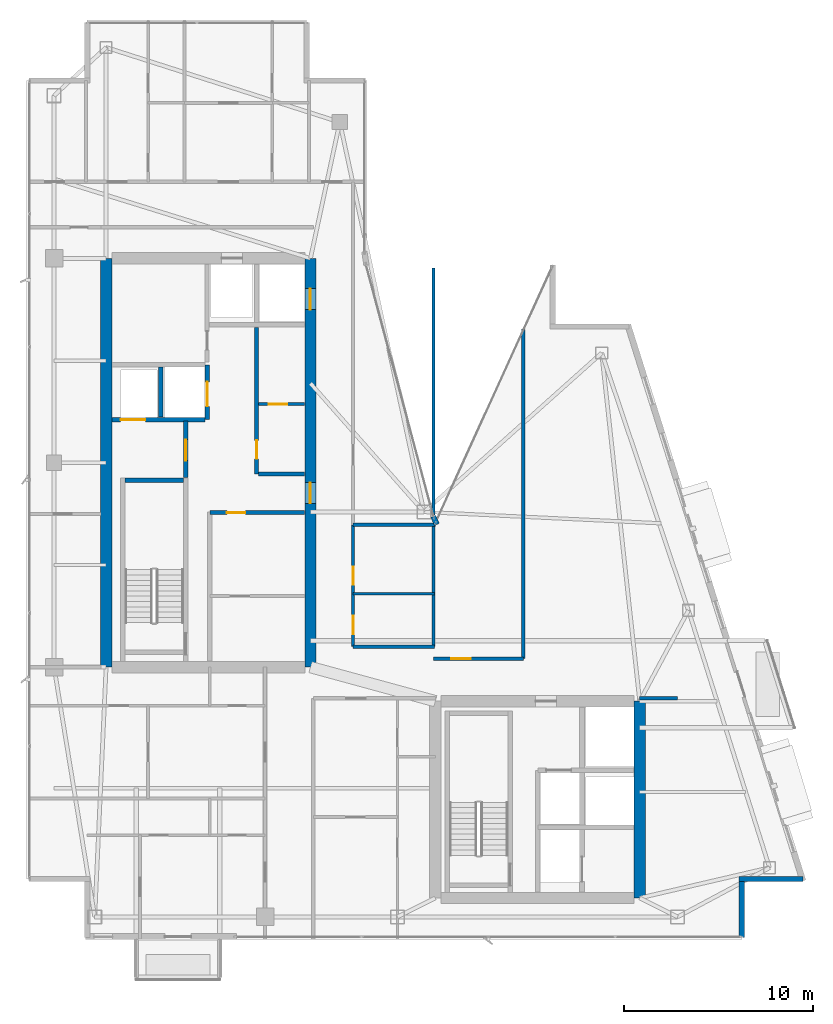
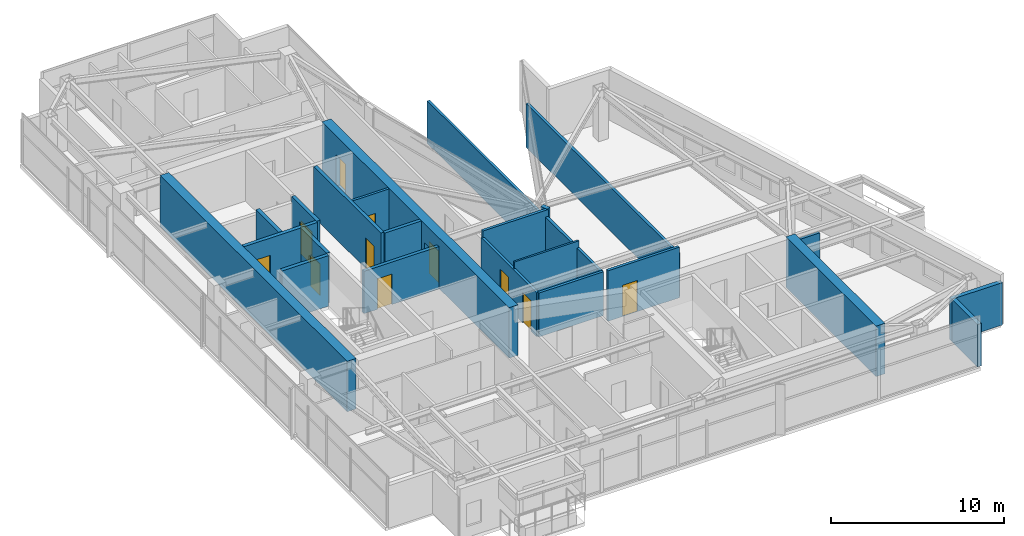
# One storey, part 23 of 27: 24 walls, 11 doors, 11 openings.
"""IFC4 building model written with IfcOpenShell, lengths in metres."""

from ifc_helpers import new_model, si_unit, direction, frame, frame_2d, origin, place, context, subcontext, project, spatial, rectangle, extrude, material, layer, layer_set, type_object, element, fill, save


model = new_model("IFC4")

# Units and contexts
model_context = context("Model", 3, precision=1e-05, world=origin(), true_north=direction((0.0, 1.0)))
body_context = subcontext(model_context, "Body", "Model", "MODEL_VIEW")
ifc_project = project(units=[si_unit("LENGTHUNIT", "METRE"), si_unit("AREAUNIT", "SQUARE_METRE"), si_unit("VOLUMEUNIT", "CUBIC_METRE"), si_unit("PLANEANGLEUNIT", "RADIAN"), si_unit("MASSUNIT", "GRAM", prefix="KILO")], contexts=[model_context])

# Site, building, storey
site_placement = place(None, origin())
site = spatial("IfcSite", under=ifc_project, at=site_placement, CompositionType="ELEMENT")
building_placement = place(site_placement, origin())
building = spatial("IfcBuilding", under=site, at=building_placement, Name="Calvorn Quay Hotel", CompositionType="ELEMENT")
storey_placement = place(building_placement, frame((0.0, 0.0, 294.89990234375)))
storey = spatial("IfcBuildingStorey", under=building, at=storey_placement, Name="L73", CompositionType="ELEMENT", Elevation=294.89990234375)

# Wall
ifc_material_1 = material(Name="Concrete C45", Category="concrete")
ifc_layer_1 = layer(ifc_material_1, 0.60009765625)
ifc_layer_set_1 = layer_set([ifc_layer_1], Name="WL-CORE-600")
wall_type_1 = type_object("IfcWallType", Name="WL-CORE-600", PredefinedType="SHEAR", material=ifc_layer_set_1)
wall_1_placement = place(storey_placement, frame((4.199951171875, 16.800048828125, 0.0), z_axis=(0.0, 0.0, 1.0), x_axis=(0.0, 1.0, 0.0)))
element("IfcWall", 1, at=wall_1_placement, inside=storey, type_object=wall_type_1, Name="West Core Shear Wall W (L73)", PredefinedType="SHEAR", context=body_context, shape_type="SweptSolid", body=[
    extrude(rectangle(XDim=21.599853515625, YDim=0.60009765625, at=frame_2d((10.7998046875, 0.0))), origin(), (0.0, 0.0, 1.0), 3.56005859375),
])

# Wall, openings, doors
wall_2_placement = place(storey_placement, frame((15.0, 16.800048828125, 0.0), z_axis=(0.0, 0.0, 1.0), x_axis=(0.0, 1.0, 0.0)))
wall_2 = element("IfcWall", 2, at=wall_2_placement, inside=storey, type_object=wall_type_1, Name="West Core Shear Wall E (L73)", PredefinedType="SHEAR", context=body_context, shape_type="SweptSolid", body=[
    extrude(rectangle(XDim=21.599853515625, YDim=0.60009765625, at=frame_2d((10.7998046875, 0.0))), origin(), (0.0, 0.0, 1.0), 3.56005859375),
])
opening_1_placement = place(wall_2_placement, frame((8.64990234375, 0.0, 0.0)))
opening_1 = element("IfcOpeningElement", 3, at=opening_1_placement, cuts=wall_2, Name="Opening D-L73-CW1", PredefinedType="OPENING", context=body_context, shape_type="SweptSolid", body=[
    extrude(rectangle(XDim=1.10009765625, YDim=2.199951171875, at=frame_2d((0.550048828125, 1.10009765625))), frame((0.0, 0.31005859375, 0.0), z_axis=(0.0, -1.0, 0.0), x_axis=(1.0, 0.0, 0.0)), (0.0, 0.0, 1.0), 0.6201171875),
])
opening_2_placement = place(wall_2_placement, frame((18.89990234375, 0.0, 0.0)))
opening_2 = element("IfcOpeningElement", 4, at=opening_2_placement, cuts=wall_2, Name="Opening LD-L73-H1", PredefinedType="OPENING", context=body_context, shape_type="SweptSolid", body=[
    extrude(rectangle(XDim=1.10009765625, YDim=2.199951171875, at=frame_2d((0.550048828125, 1.10009765625))), frame((0.0, 0.31005859375, 0.0), z_axis=(0.0, -1.0, 0.0), x_axis=(1.0, 0.0, 0.0)), (0.0, 0.0, 1.0), 0.6201171875),
])
ifc_material_2 = material(Name="Smoke-Sealed Steel Class A Fire Door", Category="steel")
door_type_1 = type_object("IfcDoorType", Name="DR-FFLOBBY-1100", OperationType="NOTDEFINED", PredefinedType="DOOR", material=ifc_material_2)
door_1_placement = place(opening_1_placement, origin())
door_1 = element("IfcDoor", 5, at=door_1_placement, inside=storey, type_object=door_type_1, Name="West Core Vestibule Fire Door (L73)", OperationType="SINGLE_SWING_RIGHT", OverallHeight=2.199951171875, OverallWidth=1.10009765625, PredefinedType="DOOR", context=body_context, shape_type="SweptSolid", body=[
    extrude(rectangle(XDim=1.10009765625, YDim=2.199951171875, at=frame_2d((0.550048828125, 1.10009765625))), frame((0.0, 0.02490234375, 0.0), z_axis=(0.0, -1.0, 0.0), x_axis=(1.0, 0.0, 0.0)), (0.0, 0.0, 1.0), 0.050048828125),
])
fill(opening_1, door_1)
ifc_material_3 = material(Name="Brushed Stainless Steel Sliding Lift Landing Door", Category="steel")
door_type_2 = type_object("IfcDoorType", Name="DR-LIFT-PASS-1100", OperationType="NOTDEFINED", PredefinedType="DOOR", material=ifc_material_3)
door_2_placement = place(opening_2_placement, origin())
door_2 = element("IfcDoor", 6, at=door_2_placement, inside=storey, type_object=door_type_2, Name="High-Rise Lift PL-H1 Landing Door (L73)", OperationType="DOUBLE_DOOR_SLIDING", OverallHeight=2.199951171875, OverallWidth=1.10009765625, PredefinedType="DOOR", context=body_context, shape_type="SweptSolid", body=[
    extrude(rectangle(XDim=1.10009765625, YDim=2.199951171875, at=frame_2d((0.550048828125, 1.10009765625))), frame((0.0, 0.02490234375, 0.0), z_axis=(0.0, -1.0, 0.0), x_axis=(1.0, 0.0, 0.0)), (0.0, 0.0, 1.0), 0.050048828125),
])
fill(opening_2, door_2)

# Walls
wall_3_placement = place(storey_placement, frame((32.39990234375, 4.60009765625, 0.0), z_axis=(0.0, 0.0, 1.0), x_axis=(0.0, 1.0, 0.0)))
element("IfcWall", 7, at=wall_3_placement, inside=storey, type_object=wall_type_1, Name="East Core Shear Wall E (L73)", PredefinedType="SHEAR", context=body_context, shape_type="SweptSolid", body=[
    extrude(rectangle(XDim=10.39990234375, YDim=0.60009765625, at=frame_2d((5.199951171875, 0.0))), origin(), (0.0, 0.0, 1.0), 3.56005859375),
])
ifc_material_4 = material(Name="Acoustic Fireboard Steel-Stud Partition", Category="steel")
ifc_layer_2 = layer(ifc_material_4, 0.179931640625)
ifc_layer_set_2 = layer_set([ifc_layer_2], Name="WL-CORR-FIRE-180")
wall_type_2 = type_object("IfcWallType", Name="WL-CORR-FIRE-180", PredefinedType="PARTITIONING", material=ifc_layer_set_2)
wall_4_placement = place(storey_placement, frame((17.25, 17.8798828125, 0.0), z_axis=(0.0, 0.0, 1.0), x_axis=(1.0, 0.0, 0.0)))
element("IfcWall", 8, at=wall_4_placement, inside=storey, type_object=wall_type_2, Name="Partition Wall L73-WL-HK-S", PredefinedType="PARTITIONING", context=body_context, shape_type="SweptSolid", body=[
    extrude(rectangle(XDim=4.300048828125, YDim=0.179931640625, at=frame_2d((2.14990234375, 0.0))), origin(), (0.0, 0.0, 1.0), 3.090087890625),
])
wall_5_placement = place(storey_placement, frame((17.25, 24.320068359375, 0.0), z_axis=(0.0, 0.0, 1.0), x_axis=(1.0, 0.0, 0.0)))
element("IfcWall", 9, at=wall_5_placement, inside=storey, type_object=wall_type_2, Name="Partition Wall L73-WL-HK-N", PredefinedType="PARTITIONING", context=body_context, shape_type="SweptSolid", body=[
    extrude(rectangle(XDim=4.35009765625, YDim=0.179931640625, at=frame_2d((2.175048828125, 0.0))), origin(), (0.0, 0.0, 1.0), 3.56005859375),
])
wall_6_placement = place(storey_placement, frame((21.5, 17.8798828125, 0.0), z_axis=(0.0, 0.0, 1.0), x_axis=(0.0, 1.0, 0.0)))
element("IfcWall", 10, at=wall_6_placement, inside=storey, type_object=wall_type_2, Name="Partition Wall L73-WL-HK-E", PredefinedType="PARTITIONING", context=body_context, shape_type="SweptSolid", body=[
    extrude(rectangle(XDim=6.440185546875, YDim=0.179931640625, at=frame_2d((3.22021484375, 0.0))), origin(), (0.0, 0.0, 1.0), 3.090087890625),
])

# Wall, openings, doors
wall_7_placement = place(storey_placement, frame((17.25, 17.8798828125, 0.0), z_axis=(0.0, 0.0, 1.0), x_axis=(0.0, 1.0, 0.0)))
wall_7 = element("IfcWall", 11, at=wall_7_placement, inside=storey, type_object=wall_type_2, Name="Partition Wall L73-WL-HK-W", PredefinedType="PARTITIONING", context=body_context, shape_type="SweptSolid", body=[
    extrude(rectangle(XDim=6.440185546875, YDim=0.179931640625, at=frame_2d((3.22021484375, 0.0))), origin(), (0.0, 0.0, 1.0), 3.090087890625),
])
opening_3_placement = place(wall_7_placement, frame((0.64990234375, 0.0, 0.0)))
opening_3 = element("IfcOpeningElement", 12, at=opening_3_placement, cuts=wall_7, Name="Opening D-L73-HK", PredefinedType="OPENING", context=body_context, shape_type="SweptSolid", body=[
    extrude(rectangle(XDim=0.97998046875, YDim=2.14990234375, at=frame_2d((0.489990234375, 1.074951171875))), frame((0.0, 0.099853515625, 0.0), z_axis=(0.0, -1.0, 0.0), x_axis=(1.0, 0.0, 0.0)), (0.0, 0.0, 1.0), 0.199951171875),
])
opening_4_placement = place(wall_7_placement, frame((3.27001953125, 0.0, 0.0)))
opening_4 = element("IfcOpeningElement", 13, at=opening_4_placement, cuts=wall_7, Name="Opening D-L73-NCP", PredefinedType="OPENING", context=body_context, shape_type="SweptSolid", body=[
    extrude(rectangle(XDim=0.9599609375, YDim=2.199951171875, at=frame_2d((0.47998046875, 1.10009765625))), frame((0.0, 0.099853515625, 0.0), z_axis=(0.0, -1.0, 0.0), x_axis=(1.0, 0.0, 0.0)), (0.0, 0.0, 1.0), 0.199951171875),
])
ifc_material_5 = material(Name="Painted Steel Housekeeping/Riser Fire Door", Category="steel")
door_type_3 = type_object("IfcDoorType", Name="DR-SERVICE-980", OperationType="NOTDEFINED", PredefinedType="DOOR", material=ifc_material_5)
door_3_placement = place(opening_3_placement, origin())
door_3 = element("IfcDoor", 14, at=door_3_placement, inside=storey, type_object=door_type_3, Name="Floor Housekeeping Door (L73)", OperationType="SINGLE_SWING_LEFT", OverallHeight=2.14990234375, OverallWidth=0.97998046875, PredefinedType="DOOR", context=body_context, shape_type="SweptSolid", body=[
    extrude(rectangle(XDim=0.97998046875, YDim=2.14990234375, at=frame_2d((0.489990234375, 1.074951171875))), frame((0.0, 0.02490234375, 0.0), z_axis=(0.0, -1.0, 0.0), x_axis=(1.0, 0.0, 0.0)), (0.0, 0.0, 1.0), 0.050048828125),
])
fill(opening_3, door_3)
ifc_material_6 = material(Name="Solid Timber Internal Suite Door", Category="wood")
door_type_4 = type_object("IfcDoorType", Name="DR-SUITE-INT-960", OperationType="NOTDEFINED", PredefinedType="DOOR", material=ifc_material_6)
door_4_placement = place(opening_4_placement, origin())
door_4 = element("IfcDoor", 15, at=door_4_placement, inside=storey, type_object=door_type_4, Name="Reading Alcove Door (L73)", OperationType="SINGLE_SWING_RIGHT", OverallHeight=2.199951171875, OverallWidth=0.9599609375, PredefinedType="DOOR", context=body_context, shape_type="SweptSolid", body=[
    extrude(rectangle(XDim=0.9599609375, YDim=2.199951171875, at=frame_2d((0.47998046875, 1.10009765625))), frame((0.0, 0.02490234375, 0.0), z_axis=(0.0, -1.0, 0.0), x_axis=(1.0, 0.0, 0.0)), (0.0, 0.0, 1.0), 0.050048828125),
])
fill(opening_4, door_4)

# Wall
wall_8_placement = place(storey_placement, frame((32.39990234375, 15.14990234375, 0.0), z_axis=(0.0, 0.0, 1.0), x_axis=(1.0, 0.0, 0.0)))
element("IfcWall", 16, at=wall_8_placement, inside=storey, type_object=wall_type_2, Name="Partition Wall L73-WL-CORR-SE-S", PredefinedType="PARTITIONING", context=body_context, shape_type="SweptSolid", body=[
    extrude(rectangle(XDim=2.0, YDim=0.179931640625, at=frame_2d((1.0, 0.0))), origin(), (0.0, 0.0, 1.0), 2.989990234375),
])

# Wall, opening, door
wall_9_placement = place(storey_placement, frame((21.5, 17.25, 0.0), z_axis=(0.0, 0.0, 1.0), x_axis=(1.0, 0.0, 0.0)))
wall_9 = element("IfcWall", 17, at=wall_9_placement, inside=storey, type_object=wall_type_2, Name="Partition Wall L73-WL-CORR-NE-N", PredefinedType="PARTITIONING", context=body_context, shape_type="SweptSolid", body=[
    extrude(rectangle(XDim=4.75, YDim=0.179931640625, at=frame_2d((2.375, 0.0))), origin(), (0.0, 0.0, 1.0), 3.56005859375),
])
opening_5_placement = place(wall_9_placement, frame((0.949951171875, 0.0, 0.0)))
opening_5 = element("IfcOpeningElement", 18, at=opening_5_placement, cuts=wall_9, Name="Opening D-L73-NS1", PredefinedType="OPENING", context=body_context, shape_type="SweptSolid", body=[
    extrude(rectangle(XDim=1.02001953125, YDim=2.199951171875, at=frame_2d((0.510009765625, 1.10009765625))), frame((0.0, 0.099853515625, 0.0), z_axis=(0.0, -1.0, 0.0), x_axis=(1.0, 0.0, 0.0)), (0.0, 0.0, 1.0), 0.199951171875),
])
ifc_material_7 = material(Name="Solid-Core Walnut Veneer Hotel Fire Door")
door_type_5 = type_object("IfcDoorType", Name="DR-GUEST-ENTRY-1020", OperationType="NOTDEFINED", PredefinedType="DOOR", material=ifc_material_7)
door_5_placement = place(opening_5_placement, origin())
door_5 = element("IfcDoor", 19, at=door_5_placement, inside=storey, type_object=door_type_5, Name="Conservatory Salon Door 1 (L73)", OperationType="SINGLE_SWING_RIGHT", OverallHeight=2.199951171875, OverallWidth=1.02001953125, PredefinedType="DOOR", context=body_context, shape_type="SweptSolid", body=[
    extrude(rectangle(XDim=1.02001953125, YDim=2.199951171875, at=frame_2d((0.510009765625, 1.10009765625))), frame((0.0, 0.02490234375, 0.0), z_axis=(0.0, -1.0, 0.0), x_axis=(1.0, 0.0, 0.0)), (0.0, 0.0, 1.0), 0.050048828125),
])
fill(opening_5, door_5)

# Walls
wall_10_placement = place(storey_placement, frame((26.25, 17.25, 0.0), z_axis=(0.0, 0.0, 1.0), x_axis=(0.0, 1.0, 0.0)))
element("IfcWall", 20, at=wall_10_placement, inside=storey, type_object=wall_type_2, Name="Partition Wall L73-WL-NE-END-E", PredefinedType="PARTITIONING", context=body_context, shape_type="SweptSolid", body=[
    extrude(rectangle(XDim=17.429931640625, YDim=0.179931640625, at=frame_2d((8.71484375, 0.0))), origin(), (0.0, 0.0, 1.0), 3.090087890625),
])
ifc_material_8 = material(Name="Moisture-Resistant Tile-Backed Partition")
ifc_layer_3 = layer(ifc_material_8, 0.125)
ifc_layer_set_3 = layer_set([ifc_layer_3], Name="WL-ENSUITE-125")
wall_type_3 = type_object("IfcWallType", Name="WL-ENSUITE-125", PredefinedType="PARTITIONING", material=ifc_layer_set_3)
wall_11_placement = place(storey_placement, frame((17.25, 20.679931640625, 0.0), z_axis=(0.0, 0.0, 1.0), x_axis=(1.0, 0.0, 0.0)))
element("IfcWall", 21, at=wall_11_placement, inside=storey, type_object=wall_type_3, Name="Partition Wall L73-WL-HK-M", PredefinedType="PARTITIONING", context=body_context, shape_type="SweptSolid", body=[
    extrude(rectangle(XDim=4.300048828125, YDim=0.125, at=frame_2d((2.14990234375, 0.0))), origin(), (0.0, 0.0, 1.0), 3.56005859375),
])
ifc_material_9 = material(Name="Concrete C40", Category="concrete")
ifc_layer_4 = layer(ifc_material_9, 0.320068359375)
ifc_layer_set_4 = layer_set([ifc_layer_4], Name="WL-EXT-SPANDREL-320")
wall_type_4 = type_object("IfcWallType", Name="WL-EXT-SPANDREL-320", PredefinedType="SOLIDWALL", material=ifc_layer_set_4)
wall_12_placement = place(storey_placement, frame((21.679931640625, 24.340087890625, 0.0), z_axis=(0.0, 0.0, 1.0), x_axis=(-0.40758134973, 0.913168901875, 0.0)))
element("IfcWall", 22, at=wall_12_placement, inside=storey, type_object=wall_type_4, Name="Inner Court Corner Pier L73-ICJ1", PredefinedType="SOLIDWALL", context=body_context, shape_type="SweptSolid", body=[
    extrude(rectangle(XDim=0.470703125, YDim=0.280029296875, at=frame_2d((0.2353515625, 0.0))), origin(), (0.0, 0.0, 1.0), 3.56005859375),
])
wall_13_placement = place(storey_placement, frame((37.800048828125, 2.52001953125, 0.0), z_axis=(0.0, 0.0, 1.0), x_axis=(0.0, 1.0, 0.0)))
element("IfcWall", 23, at=wall_13_placement, inside=storey, type_object=wall_type_4, Name="Notched Corner Spandrel L73-SE1", PredefinedType="SOLIDWALL", context=body_context, shape_type="SweptSolid", body=[
    extrude(rectangle(XDim=2.93994140625, YDim=0.280029296875, at=frame_2d((1.469970703125, 0.0))), origin(), (0.0, 0.0, 1.0), 2.989990234375),
])
wall_14_placement = place(storey_placement, frame((37.659912109375, 5.60009765625, 0.0), z_axis=(0.0, 0.0, 1.0), x_axis=(1.0, 0.0, 0.0)))
element("IfcWall", 24, at=wall_14_placement, inside=storey, type_object=wall_type_4, Name="Notched Corner Spandrel L73-SE2", PredefinedType="SOLIDWALL", context=body_context, shape_type="SweptSolid", body=[
    extrude(rectangle(XDim=3.380126953125, YDim=0.280029296875, at=frame_2d((1.68994140625, 0.0))), origin(), (0.0, 0.0, 1.0), 2.989990234375),
])

# Wall, opening, door
ifc_material_10 = material(Name="Double-Stud Acoustic Gypsum Partition")
ifc_layer_5 = layer(ifc_material_10, 0.159912109375)
ifc_layer_set_5 = layer_set([ifc_layer_5], Name="WL-INTERSUITE-160")
wall_type_5 = type_object("IfcWallType", Name="WL-INTERSUITE-160", PredefinedType="PARTITIONING", material=ifc_layer_set_5)
wall_15_placement = place(storey_placement, frame((12.25, 30.699951171875, 0.0), z_axis=(0.0, 0.0, 1.0), x_axis=(1.0, 0.0, 0.0)))
wall_15 = element("IfcWall", 25, at=wall_15_placement, inside=storey, type_object=wall_type_5, Name="Partition Wall L73-WL-CWW-FM-SPLIT", PredefinedType="PARTITIONING", context=body_context, shape_type="SweptSolid", body=[
    extrude(rectangle(XDim=2.429931640625, YDim=0.159912109375, at=frame_2d((1.21484375, 0.0))), origin(), (0.0, 0.0, 1.0), 3.56005859375),
])
opening_6_placement = place(wall_15_placement, frame((0.550048828125, 0.0, 0.0)))
opening_6 = element("IfcOpeningElement", 26, at=opening_6_placement, cuts=wall_15, Name="Opening D-L73-FM2", PredefinedType="OPENING", context=body_context, shape_type="SweptSolid", body=[
    extrude(rectangle(XDim=0.97998046875, YDim=2.14990234375, at=frame_2d((0.489990234375, 1.074951171875))), frame((0.0, 0.08984375, 0.0), z_axis=(0.0, -1.0, 0.0), x_axis=(1.0, 0.0, 0.0)), (0.0, 0.0, 1.0), 0.179931640625),
])
door_6_placement = place(opening_6_placement, origin())
door_6 = element("IfcDoor", 27, at=door_6_placement, inside=storey, type_object=door_type_3, Name="Comms Room Door (L73)", OperationType="SINGLE_SWING_LEFT", OverallHeight=2.14990234375, OverallWidth=0.97998046875, PredefinedType="DOOR", context=body_context, shape_type="SweptSolid", body=[
    extrude(rectangle(XDim=0.97998046875, YDim=2.14990234375, at=frame_2d((0.489990234375, 1.074951171875))), frame((0.0, 0.02490234375, 0.0), z_axis=(0.0, -1.0, 0.0), x_axis=(1.0, 0.0, 0.0)), (0.0, 0.0, 1.0), 0.050048828125),
])
fill(opening_6, door_6)

# Wall
wall_16_placement = place(storey_placement, frame((21.5, 24.85009765625, 0.0), z_axis=(0.0, 0.0, 1.0), x_axis=(0.0, 1.0, 0.0)))
element("IfcWall", 28, at=wall_16_placement, inside=storey, type_object=wall_type_5, Name="Partition Wall L73-WL-NC-UPPER-E", PredefinedType="PARTITIONING", context=body_context, shape_type="SweptSolid", body=[
    extrude(rectangle(XDim=13.0498046875, YDim=0.159912109375, at=frame_2d((6.52490234375, 0.0))), origin(), (0.0, 0.0, 1.0), 2.989990234375),
])

# Wall, opening, door
ifc_material_11 = material(Name="Autoclaved Aerated Masonry Block", Category="masonry")
ifc_layer_6 = layer(ifc_material_11, 0.219970703125)
ifc_layer_set_6 = layer_set([ifc_layer_6], Name="WL-LOBBY-FIRE-220")
wall_type_6 = type_object("IfcWallType", Name="WL-LOBBY-FIRE-220", PredefinedType="SOLIDWALL", material=ifc_layer_set_6)
wall_17_placement = place(storey_placement, frame((9.679931640625, 24.969970703125, 0.0), z_axis=(0.0, 0.0, 1.0), x_axis=(1.0, 0.0, 0.0)))
wall_17 = element("IfcWall", 29, at=wall_17_placement, inside=storey, type_object=wall_type_6, Name="Partition Wall L73-WL-CWW-FR-N", PredefinedType="SOLIDWALL", context=body_context, shape_type="SweptSolid", body=[
    extrude(rectangle(XDim=5.0, YDim=0.219970703125, at=frame_2d((2.5, 0.0))), origin(), (0.0, 0.0, 1.0), 2.989990234375),
])
opening_7_placement = place(wall_17_placement, frame((0.89990234375, 0.0, 0.0)))
opening_7 = element("IfcOpeningElement", 30, at=opening_7_placement, cuts=wall_17, Name="Opening D-L73-FRL2", PredefinedType="OPENING", context=body_context, shape_type="SweptSolid", body=[
    extrude(rectangle(XDim=0.97998046875, YDim=2.14990234375, at=frame_2d((0.489990234375, 1.074951171875))), frame((0.0, 0.119873046875, 0.0), z_axis=(0.0, -1.0, 0.0), x_axis=(1.0, 0.0, 0.0)), (0.0, 0.0, 1.0), 0.239990234375),
])
door_7_placement = place(opening_7_placement, origin())
door_7 = element("IfcDoor", 31, at=door_7_placement, inside=storey, type_object=door_type_3, Name="Beverage Pantry Door (L73)", OperationType="SINGLE_SWING_RIGHT", OverallHeight=2.14990234375, OverallWidth=0.97998046875, PredefinedType="DOOR", context=body_context, shape_type="SweptSolid", body=[
    extrude(rectangle(XDim=0.97998046875, YDim=2.14990234375, at=frame_2d((0.489990234375, 1.074951171875))), frame((0.0, 0.02490234375, 0.0), z_axis=(0.0, -1.0, 0.0), x_axis=(1.0, 0.0, 0.0)), (0.0, 0.0, 1.0), 0.050048828125),
])
fill(opening_7, door_7)

# Wall
wall_18_placement = place(storey_placement, frame((12.25, 27.0, 0.0), z_axis=(0.0, 0.0, 1.0), x_axis=(1.0, 0.0, 0.0)))
element("IfcWall", 32, at=wall_18_placement, inside=storey, type_object=wall_type_6, Name="Partition Wall L73-WL-CWW-FM-S", PredefinedType="SOLIDWALL", context=body_context, shape_type="SweptSolid", body=[
    extrude(rectangle(XDim=2.429931640625, YDim=0.219970703125, at=frame_2d((1.21484375, 0.0))), origin(), (0.0, 0.0, 1.0), 3.56005859375),
])

# Wall, opening, door
wall_19_placement = place(storey_placement, frame((12.14990234375, 27.0, 0.0), z_axis=(0.0, 0.0, 1.0), x_axis=(0.0, 1.0, 0.0)))
wall_19 = element("IfcWall", 33, at=wall_19_placement, inside=storey, type_object=wall_type_6, Name="Partition Wall L73-WL-CWW-FM-W", PredefinedType="SOLIDWALL", context=body_context, shape_type="SweptSolid", body=[
    extrude(rectangle(XDim=7.75, YDim=0.219970703125, at=frame_2d((3.875, 0.0))), origin(), (0.0, 0.0, 1.0), 3.56005859375),
])
opening_8_placement = place(wall_19_placement, frame((0.800048828125, 0.0, 0.0)))
opening_8 = element("IfcOpeningElement", 34, at=opening_8_placement, cuts=wall_19, Name="Opening D-L73-FM1", PredefinedType="OPENING", context=body_context, shape_type="SweptSolid", body=[
    extrude(rectangle(XDim=0.97998046875, YDim=2.14990234375, at=frame_2d((0.489990234375, 1.074951171875))), frame((0.0, 0.119873046875, 0.0), z_axis=(0.0, -1.0, 0.0), x_axis=(1.0, 0.0, 0.0)), (0.0, 0.0, 1.0), 0.239990234375),
])
door_8_placement = place(opening_8_placement, origin())
door_8 = element("IfcDoor", 35, at=door_8_placement, inside=storey, type_object=door_type_3, Name="Butler Pantry Door (L73)", OperationType="SINGLE_SWING_RIGHT", OverallHeight=2.14990234375, OverallWidth=0.97998046875, PredefinedType="DOOR", context=body_context, shape_type="SweptSolid", body=[
    extrude(rectangle(XDim=0.97998046875, YDim=2.14990234375, at=frame_2d((0.489990234375, 1.074951171875))), frame((0.0, 0.02490234375, 0.0), z_axis=(0.0, -1.0, 0.0), x_axis=(1.0, 0.0, 0.0)), (0.0, 0.0, 1.0), 0.050048828125),
])
fill(opening_8, door_8)

# Wall
ifc_material_12 = material(Name="Concrete C40", Category="concrete")
ifc_layer_7 = layer(ifc_material_12, 0.239990234375)
ifc_layer_set_7 = layer_set([ifc_layer_7], Name="WL-SHAFT-240")
wall_type_7 = type_object("IfcWallType", Name="WL-SHAFT-240", PredefinedType="SOLIDWALL", material=ifc_layer_set_7)
wall_20_placement = place(storey_placement, frame((5.199951171875, 26.669921875, 0.0), z_axis=(0.0, 0.0, 1.0), x_axis=(1.0, 0.0, 0.0)))
element("IfcWall", 36, at=wall_20_placement, inside=storey, type_object=wall_type_7, Name="Stair STW Shaft Wall N (L73)", PredefinedType="SOLIDWALL", context=body_context, shape_type="SweptSolid", body=[
    extrude(rectangle(XDim=3.10009765625, YDim=0.239990234375, at=frame_2d((1.550048828125, 0.0))), origin(), (0.0, 0.0, 1.0), 3.56005859375),
])

# Wall, opening, door
wall_21_placement = place(storey_placement, frame((8.419921875, 26.820068359375, 0.0), z_axis=(0.0, 0.0, 1.0), x_axis=(0.0, 1.0, 0.0)))
wall_21 = element("IfcWall", 37, at=wall_21_placement, inside=storey, type_object=wall_type_7, Name="Partition Wall L73-WL-CWW-FFL-E", PredefinedType="SOLIDWALL", context=body_context, shape_type="SweptSolid", body=[
    extrude(rectangle(XDim=3.0, YDim=0.239990234375, at=frame_2d((1.5, 0.0))), origin(), (0.0, 0.0, 1.0), 3.56005859375),
])
opening_9_placement = place(wall_21_placement, frame((0.89990234375, 0.0, 0.0)))
opening_9 = element("IfcOpeningElement", 38, at=opening_9_placement, cuts=wall_21, Name="Opening D-L73-FLW", PredefinedType="OPENING", context=body_context, shape_type="SweptSolid", body=[
    extrude(rectangle(XDim=1.10009765625, YDim=2.199951171875, at=frame_2d((0.550048828125, 1.10009765625))), frame((0.0, 0.1298828125, 0.0), z_axis=(0.0, -1.0, 0.0), x_axis=(1.0, 0.0, 0.0)), (0.0, 0.0, 1.0), 0.260009765625),
])
door_9_placement = place(opening_9_placement, origin())
door_9 = element("IfcDoor", 39, at=door_9_placement, inside=storey, type_object=door_type_1, Name="West Firefighting Lobby Fire Door (L73)", OperationType="SINGLE_SWING_RIGHT", OverallHeight=2.199951171875, OverallWidth=1.10009765625, PredefinedType="DOOR", context=body_context, shape_type="SweptSolid", body=[
    extrude(rectangle(XDim=1.10009765625, YDim=2.199951171875, at=frame_2d((0.550048828125, 1.10009765625))), frame((0.0, 0.02490234375, 0.0), z_axis=(0.0, -1.0, 0.0), x_axis=(1.0, 0.0, 0.0)), (0.0, 0.0, 1.0), 0.050048828125),
])
fill(opening_9, door_9)

wall_22_placement = place(storey_placement, frame((4.52001953125, 29.8798828125, 0.0), z_axis=(0.0, 0.0, 1.0), x_axis=(1.0, 0.0, 0.0)))
wall_22 = element("IfcWall", 40, at=wall_22_placement, inside=storey, type_object=wall_type_7, Name="Partition Wall L73-WL-CWW-FLW-S", PredefinedType="SOLIDWALL", context=body_context, shape_type="SweptSolid", body=[
    extrude(rectangle(XDim=4.89990234375, YDim=0.239990234375, at=frame_2d((2.449951171875, 0.0))), origin(), (0.0, 0.0, 1.0), 3.56005859375),
])
opening_10_placement = place(wall_22_placement, frame((0.449951171875, 0.0, 0.0)))
opening_10 = element("IfcOpeningElement", 41, at=opening_10_placement, cuts=wall_22, Name="Opening LD-L73-FLW1", PredefinedType="OPENING", context=body_context, shape_type="SweptSolid", body=[
    extrude(rectangle(XDim=1.300048828125, YDim=2.35009765625, at=frame_2d((0.64990234375, 1.175048828125))), frame((0.0, 0.1298828125, 0.0), z_axis=(0.0, -1.0, 0.0), x_axis=(1.0, 0.0, 0.0)), (0.0, 0.0, 1.0), 0.260009765625),
])
ifc_material_13 = material(Name="Champagne-Bronze Sliding Express Lift Landing Door")
door_type_6 = type_object("IfcDoorType", Name="DR-LIFT-SHUTTLE-1300", OperationType="NOTDEFINED", PredefinedType="DOOR", material=ifc_material_13)
door_10_placement = place(opening_10_placement, origin())
door_10 = element("IfcDoor", 42, at=door_10_placement, inside=storey, type_object=door_type_6, Name="Firefighting Lift FL-W1 Landing Door (L73)", OperationType="DOUBLE_DOOR_SLIDING", OverallHeight=2.35009765625, OverallWidth=1.300048828125, PredefinedType="DOOR", context=body_context, shape_type="SweptSolid", body=[
    extrude(rectangle(XDim=1.300048828125, YDim=2.35009765625, at=frame_2d((0.64990234375, 1.175048828125))), frame((0.0, 0.02490234375, 0.0), z_axis=(0.0, -1.0, 0.0), x_axis=(1.0, 0.0, 0.0)), (0.0, 0.0, 1.0), 0.050048828125),
])
fill(opening_10, door_10)

# Wall
wall_23_placement = place(storey_placement, frame((7.10009765625, 30.02001953125, 0.0), z_axis=(0.0, 0.0, 1.0), x_axis=(0.0, 1.0, 0.0)))
element("IfcWall", 43, at=wall_23_placement, inside=storey, type_object=wall_type_7, Name="Partition Wall L73-WL-CWW-FLW-DIV", PredefinedType="SOLIDWALL", context=body_context, shape_type="SweptSolid", body=[
    extrude(rectangle(XDim=2.6298828125, YDim=0.239990234375, at=frame_2d((1.31494140625, 0.0))), origin(), (0.0, 0.0, 1.0), 3.56005859375),
])

# Wall, opening, door
wall_24_placement = place(storey_placement, frame((9.5400390625, 29.8798828125, 0.0), z_axis=(0.0, 0.0, 1.0), x_axis=(0.0, 1.0, 0.0)))
wall_24 = element("IfcWall", 44, at=wall_24_placement, inside=storey, type_object=wall_type_7, Name="Partition Wall L73-WL-CWW-SLW-E", PredefinedType="SOLIDWALL", context=body_context, shape_type="SweptSolid", body=[
    extrude(rectangle(XDim=2.900146484375, YDim=0.239990234375, at=frame_2d((1.4501953125, 0.0))), origin(), (0.0, 0.0, 1.0), 3.56005859375),
])
opening_11_placement = place(wall_24_placement, frame((0.699951171875, 0.0, 0.0)))
opening_11 = element("IfcOpeningElement", 45, at=opening_11_placement, cuts=wall_24, Name="Opening LD-L73-SLW1", PredefinedType="OPENING", context=body_context, shape_type="SweptSolid", body=[
    extrude(rectangle(XDim=1.300048828125, YDim=2.35009765625, at=frame_2d((0.64990234375, 1.175048828125))), frame((0.0, 0.1298828125, 0.0), z_axis=(0.0, -1.0, 0.0), x_axis=(1.0, 0.0, 0.0)), (0.0, 0.0, 1.0), 0.260009765625),
])
door_11_placement = place(opening_11_placement, origin())
door_11 = element("IfcDoor", 46, at=door_11_placement, inside=storey, type_object=door_type_6, Name="Service Lift SL-W1 Landing Door (L73)", OperationType="DOUBLE_DOOR_SLIDING", OverallHeight=2.35009765625, OverallWidth=1.300048828125, PredefinedType="DOOR", context=body_context, shape_type="SweptSolid", body=[
    extrude(rectangle(XDim=1.300048828125, YDim=2.35009765625, at=frame_2d((0.64990234375, 1.175048828125))), frame((0.0, 0.02490234375, 0.0), z_axis=(0.0, -1.0, 0.0), x_axis=(1.0, 0.0, 0.0)), (0.0, 0.0, 1.0), 0.050048828125),
])
fill(opening_11, door_11)

save(model, "model.ifc")
